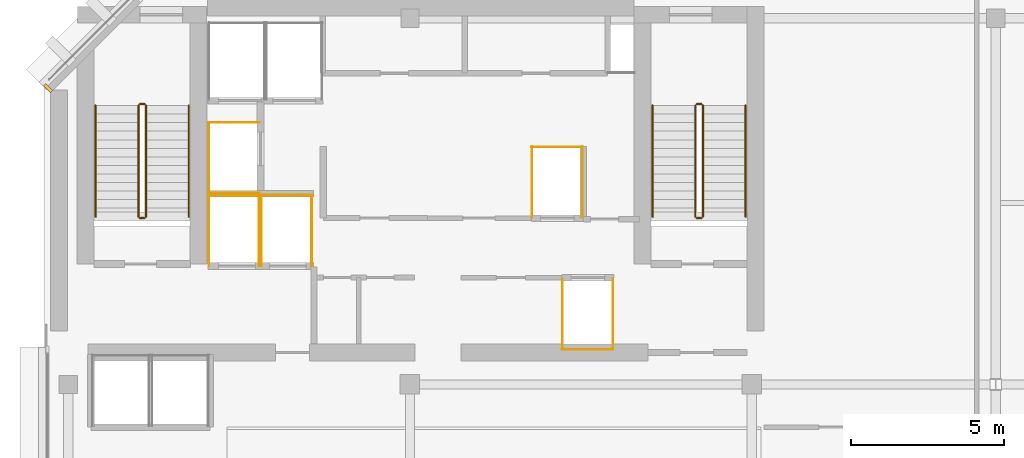
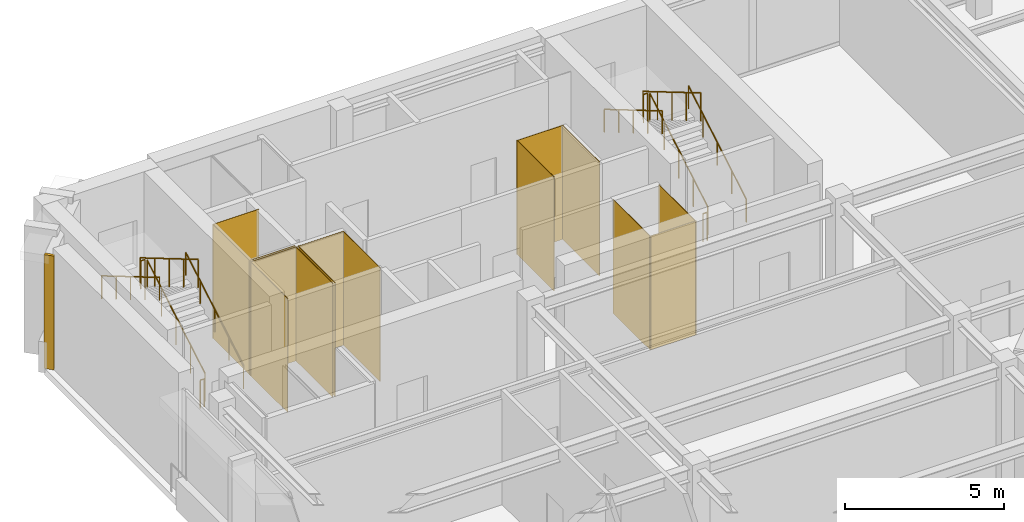
# One storey, part 8 of 9: 16 coverings, 12 railings.
"""IFC4 building model written with IfcOpenShell, lengths in metres."""

from ifc_helpers import new_model, si_unit, direction, frame, origin, origin_2d, place, context, subcontext, project, spatial, polyline, rectangle, circle, outline, extrude, material, layer, layer_set, type_object, element, save


model = new_model("IFC4")

# Units and contexts
model_context = context("Model", 3, precision=1e-05, world=origin(), true_north=direction((0.0, 1.0)))
body_context = subcontext(model_context, "Body", "Model", "MODEL_VIEW")
ifc_project = project(units=[si_unit("LENGTHUNIT", "METRE"), si_unit("AREAUNIT", "SQUARE_METRE"), si_unit("VOLUMEUNIT", "CUBIC_METRE"), si_unit("PLANEANGLEUNIT", "RADIAN"), si_unit("MASSUNIT", "GRAM", prefix="KILO")], contexts=[model_context])

# Site, building, storey
site_placement = place(None, origin())
site = spatial("IfcSite", under=ifc_project, at=site_placement, CompositionType="ELEMENT")
building_placement = place(site_placement, origin())
building = spatial("IfcBuilding", under=site, at=building_placement, Name="Kefirva Bronze Tower", CompositionType="ELEMENT")
storey_placement = place(building_placement, frame((0.0, 0.0, 356.72998046875)))
storey = spatial("IfcBuildingStorey", under=building, at=storey_placement, Name="L87", CompositionType="ELEMENT", Elevation=356.72998046875)

# Coverings
ifc_material_1 = material(Name="Bronze anodised aluminium", Category="aluminium")
ifc_layer = layer(ifc_material_1, 0.02001953125, Name="Bronze anodised aluminium")
ifc_layer_set = layer_set([ifc_layer], Name="Bronze anodised aluminium")
covering_type = type_object("IfcCoveringType", Name="Anodised Bronze Spandrel Cladding 20mm", PredefinedType="CLADDING", material=ifc_layer_set)
covering_1_placement = place(storey_placement, frame((0.137939453125, 42.91162109375, 0.0), z_axis=(0.0, 0.0, 1.0), x_axis=(-0.707106781187, -0.707106781187, 0.0)))
element("IfcCovering", 1, at=covering_1_placement, inside=storey, type_object=covering_type, Name="L87 Facade Joint Closure Panel 9E", PredefinedType="CLADDING", context=body_context, shape_type="SweptSolid", body=[
    extrude(rectangle(XDim=0.10009765625, YDim=0.320068359375, at=origin_2d()), origin(), (0.0, 0.0, 1.0), 4.3701171875),
])
covering_2_placement = place(storey_placement, origin())
element("IfcCovering", 2, at=covering_2_placement, inside=storey, type_object=covering_type, Name="L87 Lift FF1 Hoistway Liner N", PredefinedType="CLADDING", context=body_context, shape_type="SweptSolid", body=[
    extrude(outline(polyline([(5.39990234375, 39.389892578125), (7.080078125, 39.389892578125), (7.080078125, 39.409912109375), (5.39990234375, 39.409912109375), (5.39990234375, 39.389892578125)])), origin(), (0.0, 0.0, 1.0), 4.3701171875),
])
covering_3_placement = place(storey_placement, origin())
element("IfcCovering", 3, at=covering_3_placement, inside=storey, type_object=covering_type, Name="L87 Lift FF1 Hoistway Liner W", PredefinedType="CLADDING", context=body_context, shape_type="SweptSolid", body=[
    extrude(outline(polyline([(5.409912109375, 37.080078125), (5.429931640625, 37.080078125), (5.429931640625, 39.419921875), (5.409912109375, 39.419921875), (5.409912109375, 37.080078125)])), origin(), (0.0, 0.0, 1.0), 4.3701171875),
])
covering_4_placement = place(storey_placement, origin())
element("IfcCovering", 4, at=covering_4_placement, inside=storey, type_object=covering_type, Name="L87 Lift FF1 Hoistway Liner E", PredefinedType="CLADDING", context=body_context, shape_type="SweptSolid", body=[
    extrude(outline(polyline([(7.050048828125, 37.080078125), (7.070068359375, 37.080078125), (7.070068359375, 39.419921875), (7.050048828125, 39.419921875), (7.050048828125, 37.080078125)])), origin(), (0.0, 0.0, 1.0), 4.3701171875),
])
covering_5_placement = place(storey_placement, origin())
element("IfcCovering", 5, at=covering_5_placement, inside=storey, type_object=covering_type, Name="L87 Lift FF2 Hoistway Liner N", PredefinedType="CLADDING", context=body_context, shape_type="SweptSolid", body=[
    extrude(outline(polyline([(7.1201171875, 39.389892578125), (8.800048828125, 39.389892578125), (8.800048828125, 39.409912109375), (7.1201171875, 39.409912109375), (7.1201171875, 39.389892578125)])), origin(), (0.0, 0.0, 1.0), 4.3701171875),
])
covering_6_placement = place(storey_placement, origin())
element("IfcCovering", 6, at=covering_6_placement, inside=storey, type_object=covering_type, Name="L87 Lift FF2 Hoistway Liner W", PredefinedType="CLADDING", context=body_context, shape_type="SweptSolid", body=[
    extrude(outline(polyline([(7.1298828125, 37.080078125), (7.14990234375, 37.080078125), (7.14990234375, 39.419921875), (7.1298828125, 39.419921875), (7.1298828125, 37.080078125)])), origin(), (0.0, 0.0, 1.0), 4.3701171875),
])
covering_7_placement = place(storey_placement, origin())
element("IfcCovering", 7, at=covering_7_placement, inside=storey, type_object=covering_type, Name="L87 Lift FF2 Hoistway Liner E", PredefinedType="CLADDING", context=body_context, shape_type="SweptSolid", body=[
    extrude(outline(polyline([(8.77001953125, 37.080078125), (8.7900390625, 37.080078125), (8.7900390625, 39.419921875), (8.77001953125, 39.419921875), (8.77001953125, 37.080078125)])), origin(), (0.0, 0.0, 1.0), 4.3701171875),
])
covering_8_placement = place(storey_placement, origin())
element("IfcCovering", 8, at=covering_8_placement, inside=storey, type_object=covering_type, Name="L87 Lift HP1 Hoistway Liner S", PredefinedType="CLADDING", context=body_context, shape_type="SweptSolid", body=[
    extrude(outline(polyline([(16.97998046875, 34.340087890625), (18.669921875, 34.340087890625), (18.669921875, 34.360107421875), (16.97998046875, 34.360107421875), (16.97998046875, 34.340087890625)])), origin(), (0.0, 0.0, 1.0), 4.3701171875),
])
covering_9_placement = place(storey_placement, origin())
element("IfcCovering", 9, at=covering_9_placement, inside=storey, type_object=covering_type, Name="L87 Lift HP1 Hoistway Liner W", PredefinedType="CLADDING", context=body_context, shape_type="SweptSolid", body=[
    extrude(outline(polyline([(16.989990234375, 34.330078125), (17.010009765625, 34.330078125), (17.010009765625, 36.669921875), (16.989990234375, 36.669921875), (16.989990234375, 34.330078125)])), origin(), (0.0, 0.0, 1.0), 4.3701171875),
])
covering_10_placement = place(storey_placement, origin())
element("IfcCovering", 10, at=covering_10_placement, inside=storey, type_object=covering_type, Name="L87 Lift HP1 Hoistway Liner E", PredefinedType="CLADDING", context=body_context, shape_type="SweptSolid", body=[
    extrude(outline(polyline([(18.639892578125, 34.330078125), (18.659912109375, 34.330078125), (18.659912109375, 36.669921875), (18.639892578125, 36.669921875), (18.639892578125, 34.330078125)])), origin(), (0.0, 0.0, 1.0), 4.3701171875),
])
covering_11_placement = place(storey_placement, origin())
element("IfcCovering", 11, at=covering_11_placement, inside=storey, type_object=covering_type, Name="L87 Lift HP2 Hoistway Liner N", PredefinedType="CLADDING", context=body_context, shape_type="SweptSolid", body=[
    extrude(outline(polyline([(15.97998046875, 40.969970703125), (17.669921875, 40.969970703125), (17.669921875, 40.989990234375), (15.97998046875, 40.989990234375), (15.97998046875, 40.969970703125)])), origin(), (0.0, 0.0, 1.0), 4.3701171875),
])
covering_12_placement = place(storey_placement, origin())
element("IfcCovering", 12, at=covering_12_placement, inside=storey, type_object=covering_type, Name="L87 Lift HP2 Hoistway Liner W", PredefinedType="CLADDING", context=body_context, shape_type="SweptSolid", body=[
    extrude(outline(polyline([(15.989990234375, 38.659912109375), (16.010009765625, 38.659912109375), (16.010009765625, 41.0), (15.989990234375, 41.0), (15.989990234375, 38.659912109375)])), origin(), (0.0, 0.0, 1.0), 4.3701171875),
])
covering_13_placement = place(storey_placement, origin())
element("IfcCovering", 13, at=covering_13_placement, inside=storey, type_object=covering_type, Name="L87 Lift HP2 Hoistway Liner E", PredefinedType="CLADDING", context=body_context, shape_type="SweptSolid", body=[
    extrude(outline(polyline([(17.639892578125, 38.659912109375), (17.659912109375, 38.659912109375), (17.659912109375, 41.0), (17.639892578125, 41.0), (17.639892578125, 38.659912109375)])), origin(), (0.0, 0.0, 1.0), 4.3701171875),
])
covering_14_placement = place(storey_placement, origin())
element("IfcCovering", 14, at=covering_14_placement, inside=storey, type_object=covering_type, Name="L87 Lift HP3 Hoistway Liner N", PredefinedType="CLADDING", context=body_context, shape_type="SweptSolid", body=[
    extrude(outline(polyline([(5.39990234375, 41.77001953125), (7.080078125, 41.77001953125), (7.080078125, 41.7900390625), (5.39990234375, 41.7900390625), (5.39990234375, 41.77001953125)])), origin(), (0.0, 0.0, 1.0), 4.3701171875),
])
covering_15_placement = place(storey_placement, origin())
element("IfcCovering", 15, at=covering_15_placement, inside=storey, type_object=covering_type, Name="L87 Lift HP3 Hoistway Liner S", PredefinedType="CLADDING", context=body_context, shape_type="SweptSolid", body=[
    extrude(outline(polyline([(5.39990234375, 39.469970703125), (7.080078125, 39.469970703125), (7.080078125, 39.489990234375), (5.39990234375, 39.489990234375), (5.39990234375, 39.469970703125)])), origin(), (0.0, 0.0, 1.0), 4.3701171875),
])
covering_16_placement = place(storey_placement, origin())
element("IfcCovering", 16, at=covering_16_placement, inside=storey, type_object=covering_type, Name="L87 Lift HP3 Hoistway Liner W", PredefinedType="CLADDING", context=body_context, shape_type="SweptSolid", body=[
    extrude(outline(polyline([(5.409912109375, 39.4599609375), (5.429931640625, 39.4599609375), (5.429931640625, 41.800048828125), (5.409912109375, 41.800048828125), (5.409912109375, 39.4599609375)])), origin(), (0.0, 0.0, 1.0), 4.3701171875),
])

# Railings
ifc_material_2 = material(Name="Stainless steel 316", Category="steel")
railing_type_1 = type_object("IfcRailingType", Name="Interior Stair Guardrail 1100mm", PredefinedType="GUARDRAIL", material=ifc_material_2)
railing_1_placement = place(storey_placement, frame((3.35009765625, 38.699951171875, 0.1650390625)))
element("IfcRailing", 17, at=railing_1_placement, inside=storey, type_object=railing_type_1, Name="L87 ST-1 stair guard 1", PredefinedType="GUARDRAIL", context=body_context, shape_type="SweptSolid", body=[
    extrude(circle(Radius=0.02392578125, at=origin_2d()), frame((0.0, 0.0, 1.076171875), z_axis=(0.0, 0.861544779993, 0.507681585313), x_axis=(-1.0, 0.0, 0.0)), (0.0, 0.0, 1.0), 4.22509765625),
    extrude(circle(Radius=0.02099609375, at=origin_2d()), origin(), (0.0, 0.0, 1.0), 1.052001953125),
    extrude(circle(Radius=0.02099609375, at=origin_2d()), frame((0.0, 0.91015625, 0.5361328125)), (0.0, 0.0, 1.0), 1.052001953125),
    extrude(circle(Radius=0.02099609375, at=origin_2d()), frame((0.0, 1.820068359375, 1.072509765625)), (0.0, 0.0, 1.0), 1.052001953125),
    extrude(circle(Radius=0.02099609375, at=origin_2d()), frame((0.0, 2.72998046875, 1.60888671875)), (0.0, 0.0, 1.0), 1.052001953125),
    extrude(circle(Radius=0.02099609375, at=origin_2d()), frame((0.0, 3.64013671875, 2.14501953125)), (0.0, 0.0, 1.0), 1.052001953125),
])
railing_2_placement = place(storey_placement, frame((3.300048828125, 42.389892578125, 2.31005859375)))
element("IfcRailing", 18, at=railing_2_placement, inside=storey, type_object=railing_type_1, Name="L87 ST-1 stair guard 2", PredefinedType="GUARDRAIL", context=body_context, shape_type="SweptSolid", body=[
    extrude(circle(Radius=0.02392578125, at=origin_2d()), frame((0.0, 0.0, 1.076171875), z_axis=(-1.0, 0.0, 0.0), x_axis=(0.0, -1.0, 0.0)), (0.0, 0.0, 1.0), 0.150146484375),
    extrude(circle(Radius=0.02099609375, at=origin_2d()), origin(), (0.0, 0.0, 1.0), 1.052001953125),
    extrude(circle(Radius=0.02099609375, at=origin_2d()), frame((-0.150146484375, 0.0, 0.0)), (0.0, 0.0, 1.0), 1.052001953125),
])
railing_3_placement = place(storey_placement, frame((3.10009765625, 42.340087890625, 2.47509765625)))
element("IfcRailing", 19, at=railing_3_placement, inside=storey, type_object=railing_type_1, Name="L87 ST-1 stair guard 3", PredefinedType="GUARDRAIL", context=body_context, shape_type="SweptSolid", body=[
    extrude(circle(Radius=0.02392578125, at=origin_2d()), frame((0.0, 0.0, 1.076171875), z_axis=(0.0, -0.861544779993, 0.507681585313), x_axis=(1.0, 0.0, 0.0)), (0.0, 0.0, 1.0), 4.22509765625),
    extrude(circle(Radius=0.02099609375, at=origin_2d()), origin(), (0.0, 0.0, 1.0), 1.052001953125),
    extrude(circle(Radius=0.02099609375, at=origin_2d()), frame((0.0, -0.91015625, 0.5361328125)), (0.0, 0.0, 1.0), 1.052001953125),
    extrude(circle(Radius=0.02099609375, at=origin_2d()), frame((0.0, -1.820068359375, 1.072509765625)), (0.0, 0.0, 1.0), 1.052001953125),
    extrude(circle(Radius=0.02099609375, at=origin_2d()), frame((0.0, -2.72998046875, 1.60888671875)), (0.0, 0.0, 1.0), 1.052001953125),
    extrude(circle(Radius=0.02099609375, at=origin_2d()), frame((0.0, -3.64013671875, 2.14501953125)), (0.0, 0.0, 1.0), 1.052001953125),
])
railing_4_placement = place(storey_placement, frame((3.300048828125, 38.64990234375, 0.0)))
element("IfcRailing", 20, at=railing_4_placement, inside=storey, type_object=railing_type_1, Name="L87 ST-1 stair guard 4", PredefinedType="GUARDRAIL", context=body_context, shape_type="SweptSolid", body=[
    extrude(circle(Radius=0.02392578125, at=origin_2d()), frame((0.0, 0.0, 1.076171875), z_axis=(-1.0, 0.0, 0.0), x_axis=(0.0, -1.0, 0.0)), (0.0, 0.0, 1.0), 0.150146484375),
    extrude(circle(Radius=0.02099609375, at=origin_2d()), origin(), (0.0, 0.0, 1.0), 1.052001953125),
    extrude(circle(Radius=0.02099609375, at=origin_2d()), frame((-0.150146484375, 0.0, 0.0)), (0.0, 0.0, 1.0), 1.052001953125),
])
railing_5_placement = place(storey_placement, frame((21.60009765625, 38.699951171875, 0.1650390625)))
element("IfcRailing", 21, at=railing_5_placement, inside=storey, type_object=railing_type_1, Name="L87 ST-2 stair guard 1", PredefinedType="GUARDRAIL", context=body_context, shape_type="SweptSolid", body=[
    extrude(circle(Radius=0.02392578125, at=origin_2d()), frame((0.0, 0.0, 1.076171875), z_axis=(0.0, 0.861544779993, 0.507681585313), x_axis=(-1.0, 0.0, 0.0)), (0.0, 0.0, 1.0), 4.22509765625),
    extrude(circle(Radius=0.02099609375, at=origin_2d()), origin(), (0.0, 0.0, 1.0), 1.052001953125),
    extrude(circle(Radius=0.02099609375, at=origin_2d()), frame((0.0, 0.91015625, 0.5361328125)), (0.0, 0.0, 1.0), 1.052001953125),
    extrude(circle(Radius=0.02099609375, at=origin_2d()), frame((0.0, 1.820068359375, 1.072509765625)), (0.0, 0.0, 1.0), 1.052001953125),
    extrude(circle(Radius=0.02099609375, at=origin_2d()), frame((0.0, 2.72998046875, 1.60888671875)), (0.0, 0.0, 1.0), 1.052001953125),
    extrude(circle(Radius=0.02099609375, at=origin_2d()), frame((0.0, 3.64013671875, 2.14501953125)), (0.0, 0.0, 1.0), 1.052001953125),
])
railing_6_placement = place(storey_placement, frame((21.550048828125, 42.389892578125, 2.31005859375)))
element("IfcRailing", 22, at=railing_6_placement, inside=storey, type_object=railing_type_1, Name="L87 ST-2 stair guard 2", PredefinedType="GUARDRAIL", context=body_context, shape_type="SweptSolid", body=[
    extrude(circle(Radius=0.02392578125, at=origin_2d()), frame((0.0, 0.0, 1.076171875), z_axis=(-1.0, 0.0, 0.0), x_axis=(0.0, -1.0, 0.0)), (0.0, 0.0, 1.0), 0.150146484375),
    extrude(circle(Radius=0.02099609375, at=origin_2d()), origin(), (0.0, 0.0, 1.0), 1.052001953125),
    extrude(circle(Radius=0.02099609375, at=origin_2d()), frame((-0.150146484375, 0.0, 0.0)), (0.0, 0.0, 1.0), 1.052001953125),
])
railing_7_placement = place(storey_placement, frame((21.35009765625, 42.340087890625, 2.47509765625)))
element("IfcRailing", 23, at=railing_7_placement, inside=storey, type_object=railing_type_1, Name="L87 ST-2 stair guard 3", PredefinedType="GUARDRAIL", context=body_context, shape_type="SweptSolid", body=[
    extrude(circle(Radius=0.02392578125, at=origin_2d()), frame((0.0, 0.0, 1.076171875), z_axis=(0.0, -0.861544779993, 0.507681585313), x_axis=(1.0, 0.0, 0.0)), (0.0, 0.0, 1.0), 4.22509765625),
    extrude(circle(Radius=0.02099609375, at=origin_2d()), origin(), (0.0, 0.0, 1.0), 1.052001953125),
    extrude(circle(Radius=0.02099609375, at=origin_2d()), frame((0.0, -0.91015625, 0.5361328125)), (0.0, 0.0, 1.0), 1.052001953125),
    extrude(circle(Radius=0.02099609375, at=origin_2d()), frame((0.0, -1.820068359375, 1.072509765625)), (0.0, 0.0, 1.0), 1.052001953125),
    extrude(circle(Radius=0.02099609375, at=origin_2d()), frame((0.0, -2.72998046875, 1.60888671875)), (0.0, 0.0, 1.0), 1.052001953125),
    extrude(circle(Radius=0.02099609375, at=origin_2d()), frame((0.0, -3.64013671875, 2.14501953125)), (0.0, 0.0, 1.0), 1.052001953125),
])
railing_8_placement = place(storey_placement, frame((21.550048828125, 38.64990234375, 0.0)))
element("IfcRailing", 24, at=railing_8_placement, inside=storey, type_object=railing_type_1, Name="L87 ST-2 stair guard 4", PredefinedType="GUARDRAIL", context=body_context, shape_type="SweptSolid", body=[
    extrude(circle(Radius=0.02392578125, at=origin_2d()), frame((0.0, 0.0, 1.076171875), z_axis=(-1.0, 0.0, 0.0), x_axis=(0.0, -1.0, 0.0)), (0.0, 0.0, 1.0), 0.150146484375),
    extrude(circle(Radius=0.02099609375, at=origin_2d()), origin(), (0.0, 0.0, 1.0), 1.052001953125),
    extrude(circle(Radius=0.02099609375, at=origin_2d()), frame((-0.150146484375, 0.0, 0.0)), (0.0, 0.0, 1.0), 1.052001953125),
])
railing_type_2 = type_object("IfcRailingType", Name="Stair Pitch Handrail 900mm", PredefinedType="HANDRAIL", material=ifc_material_2)
railing_9_placement = place(storey_placement, frame((4.75, 38.699951171875, 0.1650390625)))
element("IfcRailing", 25, at=railing_9_placement, inside=storey, type_object=railing_type_2, Name="L87 ST-1 stair handrail 1", PredefinedType="HANDRAIL", context=body_context, shape_type="SweptSolid", body=[
    extrude(circle(Radius=0.02392578125, at=origin_2d()), frame((0.0, 0.0, 0.8759765625), z_axis=(0.0, 0.861544779993, 0.507681585313), x_axis=(-1.0, 0.0, 0.0)), (0.0, 0.0, 1.0), 4.22509765625),
    extrude(circle(Radius=0.02099609375, at=origin_2d()), origin(), (0.0, 0.0, 1.0), 0.851806640625),
    extrude(circle(Radius=0.02099609375, at=origin_2d()), frame((0.0, 0.91015625, 0.5361328125)), (0.0, 0.0, 1.0), 0.851806640625),
    extrude(circle(Radius=0.02099609375, at=origin_2d()), frame((0.0, 1.820068359375, 1.072509765625)), (0.0, 0.0, 1.0), 0.851806640625),
    extrude(circle(Radius=0.02099609375, at=origin_2d()), frame((0.0, 2.72998046875, 1.60888671875)), (0.0, 0.0, 1.0), 0.851806640625),
    extrude(circle(Radius=0.02099609375, at=origin_2d()), frame((0.0, 3.64013671875, 2.14501953125)), (0.0, 0.0, 1.0), 0.851806640625),
])
railing_10_placement = place(storey_placement, frame((1.699951171875, 42.340087890625, 2.47509765625)))
element("IfcRailing", 26, at=railing_10_placement, inside=storey, type_object=railing_type_2, Name="L87 ST-1 stair handrail 2", PredefinedType="HANDRAIL", context=body_context, shape_type="SweptSolid", body=[
    extrude(circle(Radius=0.02392578125, at=origin_2d()), frame((0.0, 0.0, 0.8759765625), z_axis=(0.0, -0.861544779993, 0.507681585313), x_axis=(1.0, 0.0, 0.0)), (0.0, 0.0, 1.0), 4.22509765625),
    extrude(circle(Radius=0.02099609375, at=origin_2d()), origin(), (0.0, 0.0, 1.0), 0.851806640625),
    extrude(circle(Radius=0.02099609375, at=origin_2d()), frame((0.0, -0.91015625, 0.5361328125)), (0.0, 0.0, 1.0), 0.851806640625),
    extrude(circle(Radius=0.02099609375, at=origin_2d()), frame((0.0, -1.820068359375, 1.072509765625)), (0.0, 0.0, 1.0), 0.851806640625),
    extrude(circle(Radius=0.02099609375, at=origin_2d()), frame((0.0, -2.72998046875, 1.60888671875)), (0.0, 0.0, 1.0), 0.851806640625),
    extrude(circle(Radius=0.02099609375, at=origin_2d()), frame((0.0, -3.64013671875, 2.14501953125)), (0.0, 0.0, 1.0), 0.851806640625),
])
railing_11_placement = place(storey_placement, frame((23.0, 38.699951171875, 0.1650390625)))
element("IfcRailing", 27, at=railing_11_placement, inside=storey, type_object=railing_type_2, Name="L87 ST-2 stair handrail 1", PredefinedType="HANDRAIL", context=body_context, shape_type="SweptSolid", body=[
    extrude(circle(Radius=0.02392578125, at=origin_2d()), frame((0.0, 0.0, 0.8759765625), z_axis=(0.0, 0.861544779993, 0.507681585313), x_axis=(-1.0, 0.0, 0.0)), (0.0, 0.0, 1.0), 4.22509765625),
    extrude(circle(Radius=0.02099609375, at=origin_2d()), origin(), (0.0, 0.0, 1.0), 0.851806640625),
    extrude(circle(Radius=0.02099609375, at=origin_2d()), frame((0.0, 0.91015625, 0.5361328125)), (0.0, 0.0, 1.0), 0.851806640625),
    extrude(circle(Radius=0.02099609375, at=origin_2d()), frame((0.0, 1.820068359375, 1.072509765625)), (0.0, 0.0, 1.0), 0.851806640625),
    extrude(circle(Radius=0.02099609375, at=origin_2d()), frame((0.0, 2.72998046875, 1.60888671875)), (0.0, 0.0, 1.0), 0.851806640625),
    extrude(circle(Radius=0.02099609375, at=origin_2d()), frame((0.0, 3.64013671875, 2.14501953125)), (0.0, 0.0, 1.0), 0.851806640625),
])
railing_12_placement = place(storey_placement, frame((19.949951171875, 42.340087890625, 2.47509765625)))
element("IfcRailing", 28, at=railing_12_placement, inside=storey, type_object=railing_type_2, Name="L87 ST-2 stair handrail 2", PredefinedType="HANDRAIL", context=body_context, shape_type="SweptSolid", body=[
    extrude(circle(Radius=0.02392578125, at=origin_2d()), frame((0.0, 0.0, 0.8759765625), z_axis=(0.0, -0.861544779993, 0.507681585313), x_axis=(1.0, 0.0, 0.0)), (0.0, 0.0, 1.0), 4.22509765625),
    extrude(circle(Radius=0.02099609375, at=origin_2d()), origin(), (0.0, 0.0, 1.0), 0.851806640625),
    extrude(circle(Radius=0.02099609375, at=origin_2d()), frame((0.0, -0.91015625, 0.5361328125)), (0.0, 0.0, 1.0), 0.851806640625),
    extrude(circle(Radius=0.02099609375, at=origin_2d()), frame((0.0, -1.820068359375, 1.072509765625)), (0.0, 0.0, 1.0), 0.851806640625),
    extrude(circle(Radius=0.02099609375, at=origin_2d()), frame((0.0, -2.72998046875, 1.60888671875)), (0.0, 0.0, 1.0), 0.851806640625),
    extrude(circle(Radius=0.02099609375, at=origin_2d()), frame((0.0, -3.64013671875, 2.14501953125)), (0.0, 0.0, 1.0), 0.851806640625),
])

save(model, "model.ifc")
